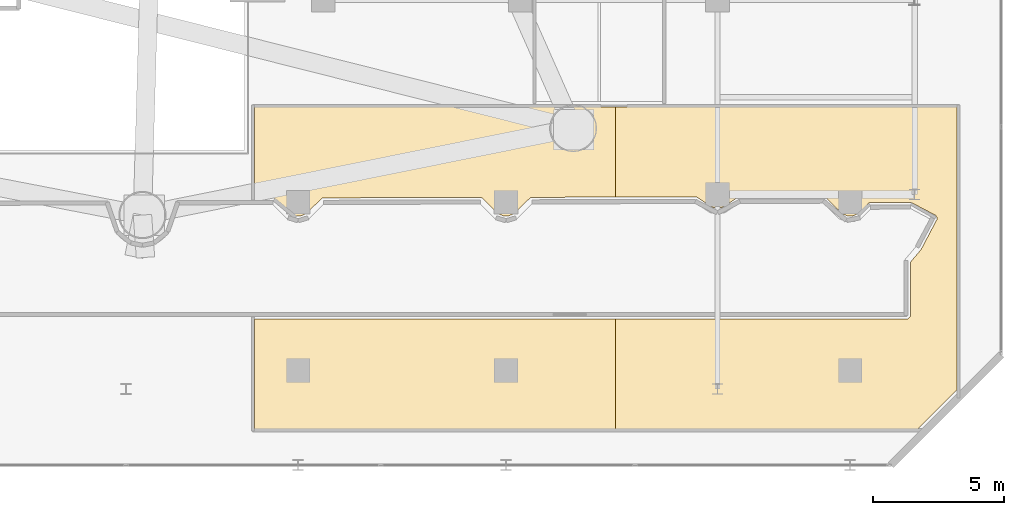
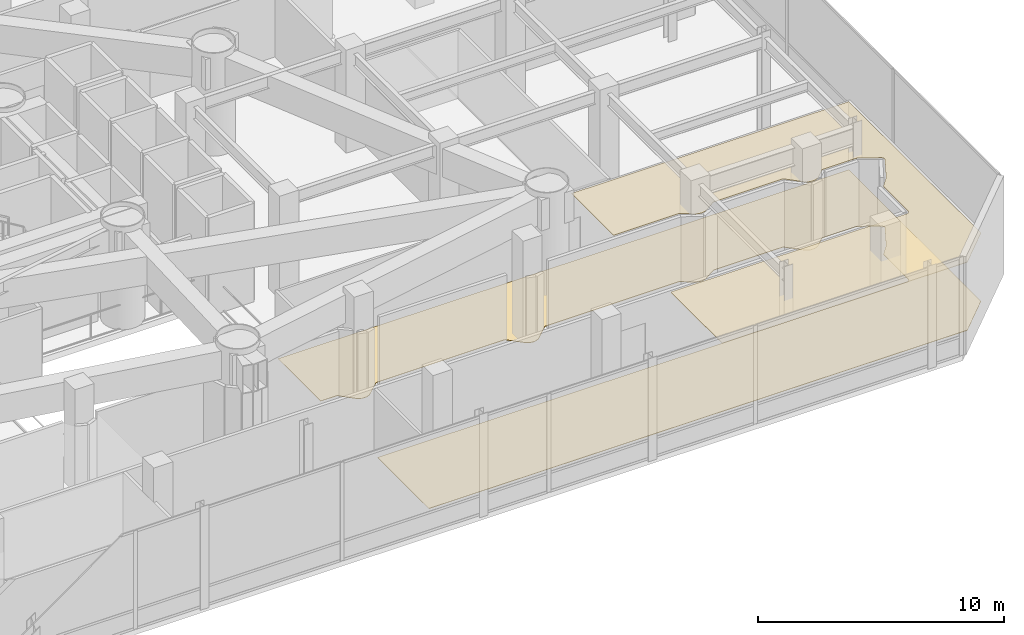
# One storey, part 38 of 40: 2 coverings.
"""IFC4 building model written with IfcOpenShell, lengths in metres."""

from ifc_helpers import new_model, si_unit, direction, frame, origin, place, context, subcontext, project, spatial, polyline, outline, extrude, material, layer, layer_set, type_object, element, save


model = new_model("IFC4")

# Units and contexts
model_context = context("Model", 3, precision=1e-05, world=origin(), true_north=direction((0.0, 1.0)))
body_context = subcontext(model_context, "Body", "Model", "MODEL_VIEW")
ifc_project = project(units=[si_unit("LENGTHUNIT", "METRE"), si_unit("AREAUNIT", "SQUARE_METRE"), si_unit("VOLUMEUNIT", "CUBIC_METRE"), si_unit("PLANEANGLEUNIT", "RADIAN"), si_unit("MASSUNIT", "GRAM", prefix="KILO")], contexts=[model_context])

# Site, building, storey
site_placement = place(None, origin())
site = spatial("IfcSite", under=ifc_project, at=site_placement, CompositionType="ELEMENT")
building_placement = place(site_placement, origin())
building = spatial("IfcBuilding", under=site, at=building_placement, Name="Qianvela Tower", CompositionType="ELEMENT")
storey_placement = place(building_placement, frame((0.0, 0.0, 20.60009765625)))
storey = spatial("IfcBuildingStorey", under=building, at=storey_placement, Name="L04", CompositionType="ELEMENT", Elevation=20.60009765625)

# Coverings
ifc_material_1 = material(Name="Perforated Mineral Acoustic Ceiling Tile")
ifc_layer_1 = layer(ifc_material_1, 0.02490234375)
ifc_layer_set_1 = layer_set([ifc_layer_1], Name="Perforated Mineral Acoustic Ceiling Tile")
covering_type_1 = type_object("IfcCoveringType", Name="COV-CEIL-ACOUSTIC-25", PredefinedType="CEILING", material=ifc_layer_set_1)
covering_1_placement = place(storey_placement, frame((0.0, 0.0, 3.375)))
element("IfcCovering", 1, at=covering_1_placement, inside=storey, type_object=covering_type_1, Name="L04 Acoustic Ceiling Bay 2 L04 Podium Sky Commons Lounge", PredefinedType="CEILING", context=body_context, shape_type="SweptSolid", body=[
    extrude(outline(polyline([(69.1201171875, 7.3876953125), (67.6123046875, 5.8798828125), (56.124755859375, 5.8798828125), (56.124755859375, 10.05810546875), (67.2060546875, 10.058349609375), (67.21435546875, 10.05859375), (67.22265625, 10.06005859375), (67.230712890625, 10.062255859375), (67.238525390625, 10.065185546875), (67.245849609375, 10.06884765625), (67.2529296875, 10.073486328125), (67.259521484375, 10.07861328125), (67.265380859375, 10.084716796875), (67.3212890625, 10.146240234375), (67.325927734375, 10.152099609375), (67.330078125, 10.157958984375), (67.333740234375, 10.16455078125), (67.336669921875, 10.171142578125), (67.339111328125, 10.17822265625), (67.340576171875, 10.185302734375), (67.341796875, 10.192626953125), (67.342041015625, 10.199951171875), (67.342041015625, 12.22607421875), (67.734619140625, 12.69140625), (67.73974609375, 12.6982421875), (67.744140625, 12.70556640625), (68.347900390625, 13.85009765625), (68.3515625, 13.857421875), (68.35400390625, 13.865234375), (68.35595703125, 13.873291015625), (68.35693359375, 13.88134765625), (68.357177734375, 13.889404296875), (68.356689453125, 13.897705078125), (68.35498046875, 13.90576171875), (68.352783203125, 13.91357421875), (68.349609375, 13.921142578125), (68.345947265625, 13.928466796875), (68.31298828125, 13.983154296875), (68.30908203125, 13.9892578125), (68.304443359375, 13.994873046875), (68.29931640625, 14.000244140625), (68.2939453125, 14.0048828125), (68.2880859375, 14.00927734375), (68.28173828125, 14.0126953125), (67.385986328125, 14.483154296875), (67.37890625, 14.486328125), (67.37158203125, 14.489013671875), (67.364013671875, 14.490966796875), (67.3564453125, 14.491943359375), (67.3486328125, 14.4921875), (65.80810546875, 14.4873046875), (65.80029296875, 14.48681640625), (65.792724609375, 14.48583984375), (65.785400390625, 14.48388671875), (65.778076171875, 14.4814453125), (65.771240234375, 14.478271484375), (65.7646484375, 14.474365234375), (65.75830078125, 14.469970703125), (65.752685546875, 14.46484375), (65.337158203125, 14.063720703125), (65.147216796875, 13.98486328125), (64.942138671875, 13.98486328125), (64.752197265625, 14.0634765625), (64.099609375, 14.6953125), (64.09375, 14.700439453125), (64.08740234375, 14.705078125), (64.080810546875, 14.708984375), (64.07373046875, 14.712158203125), (64.06640625, 14.714599609375), (64.05908203125, 14.716552734375), (64.051513671875, 14.717529296875), (64.043701171875, 14.718017578125), (60.8291015625, 14.709716796875), (60.8212890625, 14.709228515625), (60.813720703125, 14.7080078125), (60.806396484375, 14.706298828125), (60.799072265625, 14.70361328125), (60.7919921875, 14.700439453125), (60.785400390625, 14.696533203125), (60.201416015625, 14.314697265625), (60.0, 14.27490234375), (59.798583984375, 14.314697265625), (59.220458984375, 14.6923828125), (59.2138671875, 14.6962890625), (59.206787109375, 14.69970703125), (59.199462890625, 14.7021484375), (59.19189453125, 14.7041015625), (59.184326171875, 14.705078125), (59.176513671875, 14.705322265625), (56.124755859375, 14.69775390625), (56.124755859375, 18.1201171875), (69.1201171875, 18.1201171875), (69.1201171875, 7.3876953125)])), origin(), (0.0, 0.0, 1.0), 0.02490234375),
])
ifc_material_2 = material(Name="Engineered Acoustic Oak Timber Flooring", Category="wood")
ifc_layer_2 = layer(ifc_material_2, 0.02001953125)
ifc_layer_set_2 = layer_set([ifc_layer_2], Name="Engineered Acoustic Oak Timber Flooring")
covering_type_2 = type_object("IfcCoveringType", Name="COV-FLOOR-OAK-20", PredefinedType="FLOORING", material=ifc_layer_set_2)
covering_2_placement = place(storey_placement, origin())
element("IfcCovering", 2, at=covering_2_placement, inside=storey, type_object=covering_type_2, Name="L04 Finish Flooring L04 Podium Sky Commons Lounge", PredefinedType="FLOORING", context=body_context, shape_type="SweptSolid", body=[
    extrude(outline(polyline([(69.1201171875, 18.1201171875), (69.1201171875, 7.3876953125), (67.6123046875, 5.8798828125), (42.3798828125, 5.8798828125), (42.3798828125, 10.05810546875), (67.2060546875, 10.058349609375), (67.21435546875, 10.05859375), (67.22265625, 10.06005859375), (67.230712890625, 10.062255859375), (67.238525390625, 10.065185546875), (67.245849609375, 10.06884765625), (67.2529296875, 10.073486328125), (67.259521484375, 10.07861328125), (67.265380859375, 10.084716796875), (67.3212890625, 10.146240234375), (67.325927734375, 10.152099609375), (67.330078125, 10.157958984375), (67.333740234375, 10.16455078125), (67.336669921875, 10.171142578125), (67.339111328125, 10.17822265625), (67.340576171875, 10.185302734375), (67.341796875, 10.192626953125), (67.342041015625, 10.199951171875), (67.342041015625, 12.22607421875), (67.734619140625, 12.69140625), (67.73974609375, 12.6982421875), (67.744140625, 12.70556640625), (68.347900390625, 13.85009765625), (68.3515625, 13.857421875), (68.35400390625, 13.865234375), (68.35595703125, 13.873291015625), (68.35693359375, 13.88134765625), (68.357177734375, 13.889404296875), (68.356689453125, 13.897705078125), (68.35498046875, 13.90576171875), (68.352783203125, 13.91357421875), (68.349609375, 13.921142578125), (68.345947265625, 13.928466796875), (68.31298828125, 13.983154296875), (68.30908203125, 13.9892578125), (68.304443359375, 13.994873046875), (68.29931640625, 14.000244140625), (68.2939453125, 14.0048828125), (68.2880859375, 14.00927734375), (68.28173828125, 14.0126953125), (67.385986328125, 14.483154296875), (67.37890625, 14.486328125), (67.37158203125, 14.489013671875), (67.364013671875, 14.490966796875), (67.3564453125, 14.491943359375), (67.3486328125, 14.4921875), (65.80810546875, 14.4873046875), (65.80029296875, 14.48681640625), (65.792724609375, 14.48583984375), (65.785400390625, 14.48388671875), (65.778076171875, 14.4814453125), (65.771240234375, 14.478271484375), (65.7646484375, 14.474365234375), (65.75830078125, 14.469970703125), (65.752685546875, 14.46484375), (65.337158203125, 14.063720703125), (65.147216796875, 13.98486328125), (64.942138671875, 13.98486328125), (64.752197265625, 14.0634765625), (64.099609375, 14.6953125), (64.09375, 14.700439453125), (64.08740234375, 14.705078125), (64.080810546875, 14.708984375), (64.07373046875, 14.712158203125), (64.06640625, 14.714599609375), (64.05908203125, 14.716552734375), (64.051513671875, 14.717529296875), (64.043701171875, 14.718017578125), (60.8291015625, 14.709716796875), (60.8212890625, 14.709228515625), (60.813720703125, 14.7080078125), (60.806396484375, 14.706298828125), (60.799072265625, 14.70361328125), (60.7919921875, 14.700439453125), (60.785400390625, 14.696533203125), (60.201416015625, 14.314697265625), (60.0, 14.27490234375), (59.798583984375, 14.314697265625), (59.220458984375, 14.6923828125), (59.2138671875, 14.6962890625), (59.206787109375, 14.69970703125), (59.199462890625, 14.7021484375), (59.19189453125, 14.7041015625), (59.184326171875, 14.705078125), (59.176513671875, 14.705322265625), (52.926513671875, 14.689697265625), (52.918701171875, 14.689453125), (52.9111328125, 14.688232421875), (52.90380859375, 14.6865234375), (52.896484375, 14.683837890625), (52.8896484375, 14.6806640625), (52.8828125, 14.6767578125), (52.876708984375, 14.67236328125), (52.87109375, 14.667236328125), (52.247802734375, 14.0634765625), (52.05126953125, 13.982177734375), (51.955322265625, 13.97265625), (51.859619140625, 13.982177734375), (51.6630859375, 14.063720703125), (51.04443359375, 14.662353515625), (51.03857421875, 14.66748046875), (51.032470703125, 14.672119140625), (51.025634765625, 14.67578125), (51.018798828125, 14.67919921875), (51.011474609375, 14.681640625), (51.00390625, 14.68359375), (50.996337890625, 14.6845703125), (50.988525390625, 14.68505859375), (45.001953125, 14.67041015625), (44.994384765625, 14.669921875), (44.98681640625, 14.668701171875), (44.979248046875, 14.6669921875), (44.97216796875, 14.66455078125), (44.965087890625, 14.661376953125), (44.95849609375, 14.657470703125), (44.952392578125, 14.653076171875), (44.94677734375, 14.64794921875), (44.337158203125, 14.063720703125), (44.144287109375, 13.983642578125), (43.945068359375, 13.983642578125), (43.752685546875, 14.0634765625), (43.171630859375, 14.6376953125), (43.166015625, 14.642822265625), (43.15966796875, 14.6474609375), (43.153076171875, 14.651611328125), (43.14599609375, 14.65478515625), (43.138671875, 14.657470703125), (43.131103515625, 14.6591796875), (43.123291015625, 14.660400390625), (43.11572265625, 14.660888671875), (42.3798828125, 14.663330078125), (42.3798828125, 18.1201171875), (69.1201171875, 18.1201171875)])), origin(), (0.0, 0.0, 1.0), 0.02001953125),
])

save(model, "model.ifc")
